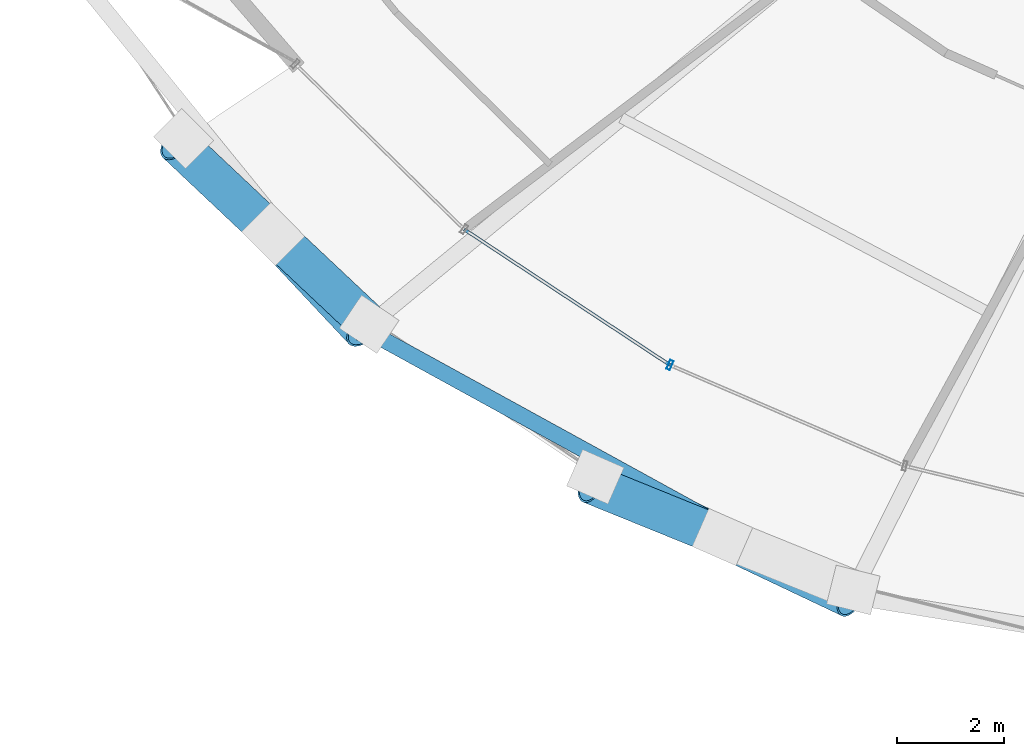
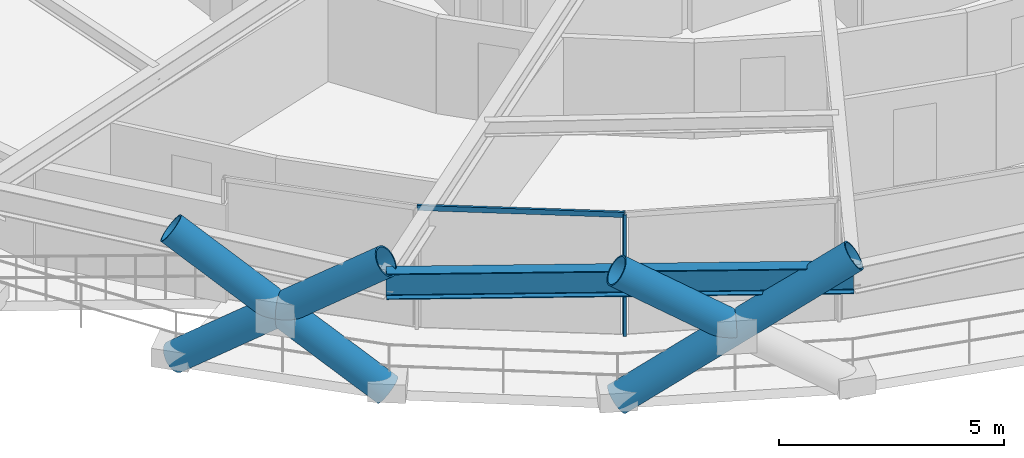
# One storey, part 1 of 18: 7 members, 1 beam, 1 element without a shape of its own.
"""IFC4 building model written with IfcOpenShell, lengths in metres."""

from ifc_helpers import new_model, si_unit, direction, frame, origin, origin_2d, place, context, subcontext, project, spatial, hollow_rectangle, hollow_circle, i_section, extrude, material, layer, layer_set, material_profile, profile_set, type_object, element, aggregate, save


model = new_model("IFC4")

# Units and contexts
model_context = context("Model", 3, precision=1e-05, world=origin(), true_north=direction((0.0, 1.0)))
body_context = subcontext(model_context, "Body", "Model", "MODEL_VIEW")
ifc_project = project(units=[si_unit("LENGTHUNIT", "METRE"), si_unit("AREAUNIT", "SQUARE_METRE"), si_unit("VOLUMEUNIT", "CUBIC_METRE"), si_unit("PLANEANGLEUNIT", "RADIAN"), si_unit("MASSUNIT", "GRAM", prefix="KILO")], contexts=[model_context])

# Site, building, storey
site_placement = place(None, origin())
site = spatial("IfcSite", under=ifc_project, at=site_placement, CompositionType="ELEMENT")
building_placement = place(site_placement, origin())
building = spatial("IfcBuilding", under=site, at=building_placement, Name="Veldorina Hangang Commons", CompositionType="ELEMENT")
storey_placement = place(building_placement, frame((0.0, 0.0, 41.199951171875)))
storey = spatial("IfcBuildingStorey", under=building, at=storey_placement, Name="L09", CompositionType="ELEMENT", Elevation=41.199951171875)

# Beam
ifc_material_1 = material(Name="Steel SM460-TMC", Category="steel")
ifc_material_profile_1 = material_profile(ifc_material_1, i_section(OverallWidth=0.300048828125, OverallDepth=0.699951171875, WebThickness=0.012939453125, FlangeThickness=0.02392578125, FilletRadius=0.02197265625, at=origin_2d()), Name="H-700x300x13x24")
ifc_profile_set_1 = profile_set([ifc_material_profile_1], Name="Steel SM460-TMC")
beam_type = type_object("IfcBeamType", Name="BM-RB700", PredefinedType="BEAM", material=ifc_profile_set_1)
beam_placement = place(storey_placement, frame((12.113037109375, 7.6484375, 2.989990234375), z_axis=(0.876445056025, -0.481501883453, 0.0), x_axis=(0.481501883453, 0.876445056025, 0.0)))
element("IfcBeam", 1, at=beam_placement, inside=storey, type_object=beam_type, Name="L09 perimeter hoop ring beam 20", PredefinedType="BEAM", context=body_context, shape_type="SweptSolid", body=[
    extrude(i_section(OverallWidth=0.300048828125, OverallDepth=0.699951171875, WebThickness=0.012939453125, FlangeThickness=0.02392578125, FilletRadius=0.02197265625, at=origin_2d()), origin(), (0.0, 0.0, 1.0), 10.41064453125),
])

# Curtain wall, members
ifc_material_2 = material(Name="Glass Low-E Triple IGU", Category="glass")
ifc_layer = layer(ifc_material_2, 0.179931640625)
ifc_layer_set = layer_set([ifc_layer], Name="Glass Low-E Triple IGU")
curtain_wall_type = type_object("IfcCurtainWallType", Name="CW-SYS-Z1", PredefinedType="NOTDEFINED", material=ifc_layer_set)
curtain_wall_placement = place(storey_placement, origin())
curtain_wall = element("IfcCurtainWall", 2, at=curtain_wall_placement, inside=storey, type_object=curtain_wall_type, Name="L09 unitised curtain wall CW-L09-R1", PredefinedType="NOTDEFINED")
ifc_material_3 = material(Name="Aluminium Anodized AA6063-T6", Category="aluminium")
ifc_material_profile_2 = material_profile(ifc_material_3, hollow_rectangle(XDim=0.070068359375, YDim=0.179931640625, WallThickness=0.00390625, at=origin_2d()), Name="ALU-RHS-180x70x4")
ifc_profile_set_2 = profile_set([ifc_material_profile_2], Name="Aluminium Anodized AA6063-T6")
member_type_1 = type_object("IfcMemberType", Name="CW-MUL-180", PredefinedType="MULLION", material=ifc_profile_set_2)
member_1_placement = place(storey_placement, frame((17.8466796875, 6.975341796875, 0.0), z_axis=(0.0, 0.0, 1.0), x_axis=(0.918804988749, -0.39471178428, 0.0)))
member_1 = element("IfcMember", 3, at=member_1_placement, type_object=member_type_1, Name="CW-L09-R1 vertical mullion 3", PredefinedType="MULLION", context=body_context, shape_type="SweptSolid", body=[
    extrude(hollow_rectangle(XDim=0.070068359375, YDim=0.179931640625, WallThickness=0.00390625, at=origin_2d()), origin(), (0.0, 0.0, 1.0), 3.300048828125),
])
ifc_material_profile_3 = material_profile(ifc_material_3, hollow_rectangle(XDim=0.06005859375, YDim=0.139892578125, WallThickness=0.00341796875, at=origin_2d()), Name="ALU-RHS-140x60x3.5")
ifc_profile_set_3 = profile_set([ifc_material_profile_3], Name="Aluminium Anodized AA6063-T6")
member_type_2 = type_object("IfcMemberType", Name="CW-TRN-140", PredefinedType="USERDEFINED", material=ifc_profile_set_3)
member_2_placement = place(storey_placement, frame((13.986083984375, 9.521728515625, 3.260009765625), z_axis=(0.834769065436, -0.550600224656, 0.0), x_axis=(0.550600224656, 0.834769065436, 0.0)))
member_2 = element("IfcMember", 4, at=member_2_placement, type_object=member_type_2, Name="CW-L09-R1 facet 2 transom 1", ObjectType="TRANSOM", PredefinedType="USERDEFINED", context=body_context, shape_type="SweptSolid", body=[
    extrude(hollow_rectangle(XDim=0.06005859375, YDim=0.139892578125, WallThickness=0.00341796875, at=origin_2d()), origin(), (0.0, 0.0, 1.0), 4.624755859375),
])
aggregate(curtain_wall, [member_1, member_2])

# Members
ifc_material_profile_4 = material_profile(ifc_material_1, hollow_circle(Radius=0.375, WallThickness=0.035888671875, at=origin_2d()), Name="CHS-750x36")
ifc_profile_set_4 = profile_set([ifc_material_profile_4], Name="Steel SM460-TMC")
member_type_3 = type_object("IfcMemberType", Name="DG-CHS750", PredefinedType="BRACE", material=ifc_profile_set_4)
member_3_placement = place(storey_placement, frame((8.72265625, 11.224365234375, 0.0), z_axis=(0.552459903942, -0.588941218285, 0.589861251432), x_axis=(0.729334801286, 0.684156961255, 0.0)))
element("IfcMember", 5, at=member_3_placement, inside=storey, type_object=member_type_3, Name="L09 continuous perimeter diagrid brace 19", PredefinedType="BRACE", context=body_context, shape_type="SweptSolid", body=[
    extrude(hollow_circle(Radius=0.375, WallThickness=0.035888671875, at=origin_2d()), origin(), (0.0, 0.0, 1.0), 6.103271484375),
])
member_4_placement = place(storey_placement, frame((12.204345703125, 7.73974609375, 0.0), z_axis=(-0.58964513909, 0.554236057266, 0.587487023494), x_axis=(-0.684890081969, -0.72864639958, 0.0)))
element("IfcMember", 6, at=member_4_placement, inside=storey, type_object=member_type_3, Name="L09 split perimeter diagrid lower brace 20", PredefinedType="BRACE", context=body_context, shape_type="SweptSolid", body=[
    extrude(hollow_circle(Radius=0.375, WallThickness=0.035888671875, at=origin_2d()), origin(), (0.0, 0.0, 1.0), 3.054443359375),
])
member_5_placement = place(storey_placement, frame((10.4033203125, 9.4326171875, 1.79443359375), z_axis=(-0.588894487826, 0.55497327559, 0.587543994599), x_axis=(-0.685836145655, -0.727755990229, 0.0)))
element("IfcMember", 7, at=member_5_placement, inside=storey, type_object=member_type_3, Name="L09 split perimeter diagrid upper brace 20", PredefinedType="BRACE", context=body_context, shape_type="SweptSolid", body=[
    extrude(hollow_circle(Radius=0.375, WallThickness=0.035888671875, at=origin_2d()), origin(), (0.0, 0.0, 1.0), 3.0732421875),
])
member_6_placement = place(storey_placement, frame((16.446533203125, 4.8798828125, 0.0), z_axis=(0.746969161489, -0.354449874811, 0.562496540461), x_axis=(0.428701052072, 0.903446405689, 0.0)))
element("IfcMember", 8, at=member_6_placement, inside=storey, type_object=member_type_3, Name="L09 continuous perimeter diagrid brace 21", PredefinedType="BRACE", context=body_context, shape_type="SweptSolid", body=[
    extrude(hollow_circle(Radius=0.375, WallThickness=0.035888671875, at=origin_2d()), origin(), (0.0, 0.0, 1.0), 6.400146484375),
])
member_7_placement = place(storey_placement, frame((18.830078125, 3.7490234375, 1.794921875), z_axis=(-0.76724636078, 0.311191362029, 0.560796717241), x_axis=(-0.375856074156, -0.926678051709, 0.0)))
element("IfcMember", 9, at=member_7_placement, inside=storey, type_object=member_type_3, Name="L09 split perimeter diagrid upper brace 22", PredefinedType="BRACE", context=body_context, shape_type="SweptSolid", body=[
    extrude(hollow_circle(Radius=0.375, WallThickness=0.035888671875, at=origin_2d()), origin(), (0.0, 0.0, 1.0), 3.218994140625),
])

save(model, "model.ifc")
